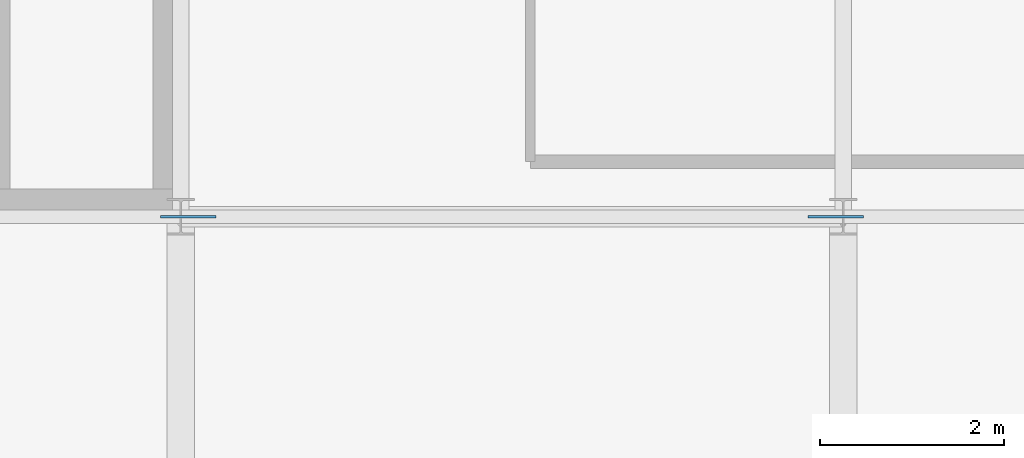
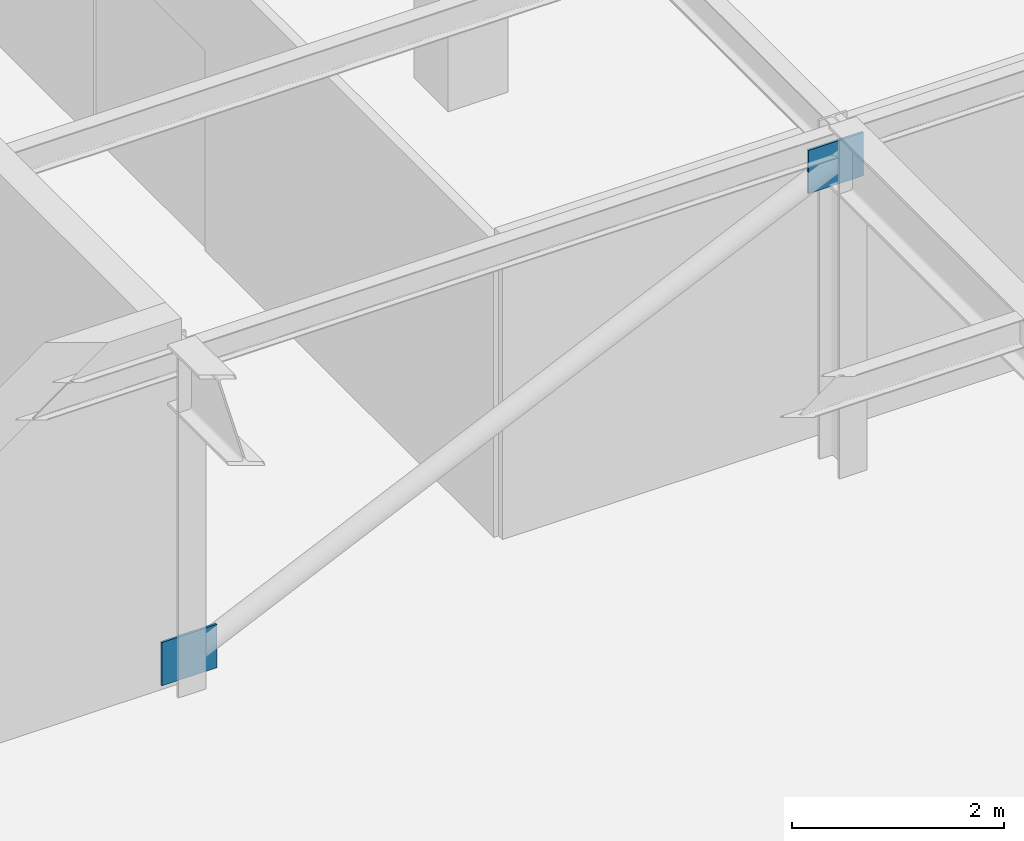
# One storey, part 63 of 83: 2 plates.
"""IFC4 building model written with IfcOpenShell, lengths in metres."""

from ifc_helpers import new_model, si_unit, direction, frame, origin, origin_2d, place, context, subcontext, project, spatial, rectangle, extrude, material, layer, layer_set, type_object, element, save


model = new_model("IFC4")

# Units and contexts
model_context = context("Model", 3, precision=1e-05, world=origin(), true_north=direction((0.0, 1.0)))
body_context = subcontext(model_context, "Body", "Model", "MODEL_VIEW")
ifc_project = project(units=[si_unit("LENGTHUNIT", "METRE"), si_unit("AREAUNIT", "SQUARE_METRE"), si_unit("VOLUMEUNIT", "CUBIC_METRE"), si_unit("PLANEANGLEUNIT", "RADIAN"), si_unit("MASSUNIT", "GRAM", prefix="KILO")], contexts=[model_context])

# Site, building, storey
site_placement = place(None, origin())
site = spatial("IfcSite", under=ifc_project, at=site_placement, CompositionType="ELEMENT")
building_placement = place(site_placement, origin())
building = spatial("IfcBuilding", under=site, at=building_placement, Name="Leyfeld Transit Interchange", CompositionType="ELEMENT")
storey_placement = place(building_placement, frame((0.0, 0.0, 5.39990234375)))
storey = spatial("IfcBuildingStorey", under=building, at=storey_placement, Name="L01", CompositionType="ELEMENT", Elevation=5.39990234375)

# Plates
ifc_material = material(Name="Steel S355J2", Category="steel")
ifc_layer = layer(ifc_material, 0.02490234375, Name="Steel S355J2")
ifc_layer_set = layer_set([ifc_layer], Name="Steel S355J2")
plate_type = type_object("IfcPlateType", Name="PLT-GUS-25", PredefinedType="SHEET", material=ifc_layer_set)
for number, where, z_axis, x_axis, name in (
    (1, (151.280029296875, 57.60009765625, 0.050048828125), (0.0, 0.0, 1.0), (1.0, 0.0, 0.0), "Bracing Lower Gusset 008"),
    (2, (158.320068359375, 57.60009765625, 3.25), (0.0, 0.0, 1.0), (1.0, 0.0, 0.0), "Bracing Upper Gusset 008"),
):
    element("IfcPlate", number, at=place(storey_placement, frame(where, z_axis=z_axis, x_axis=x_axis)), inside=storey, type_object=plate_type, Name=name, PredefinedType="SHEET", context=body_context, shape_type="SweptSolid", body=[
        extrude(rectangle(XDim=0.60009765625, YDim=0.02490234375, at=origin_2d()), origin(), (0.0, 0.0, 1.0), 0.5),
    ])

save(model, "model.ifc")
